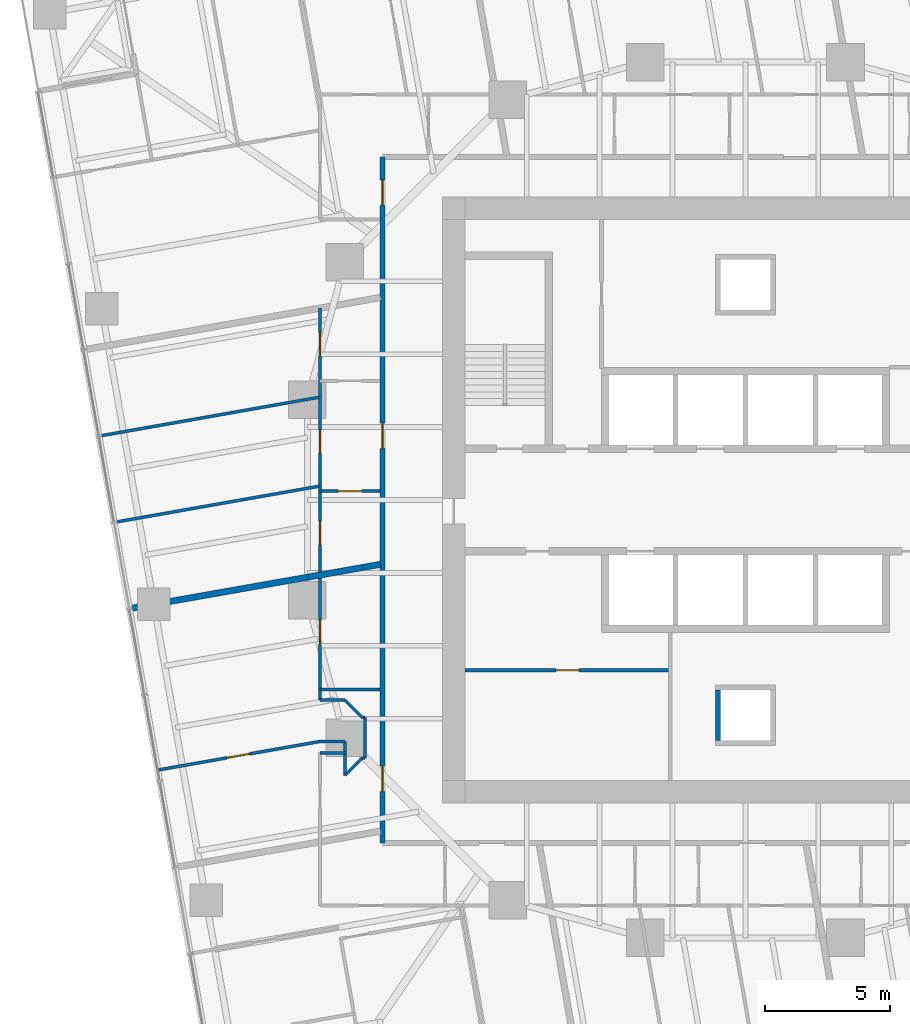
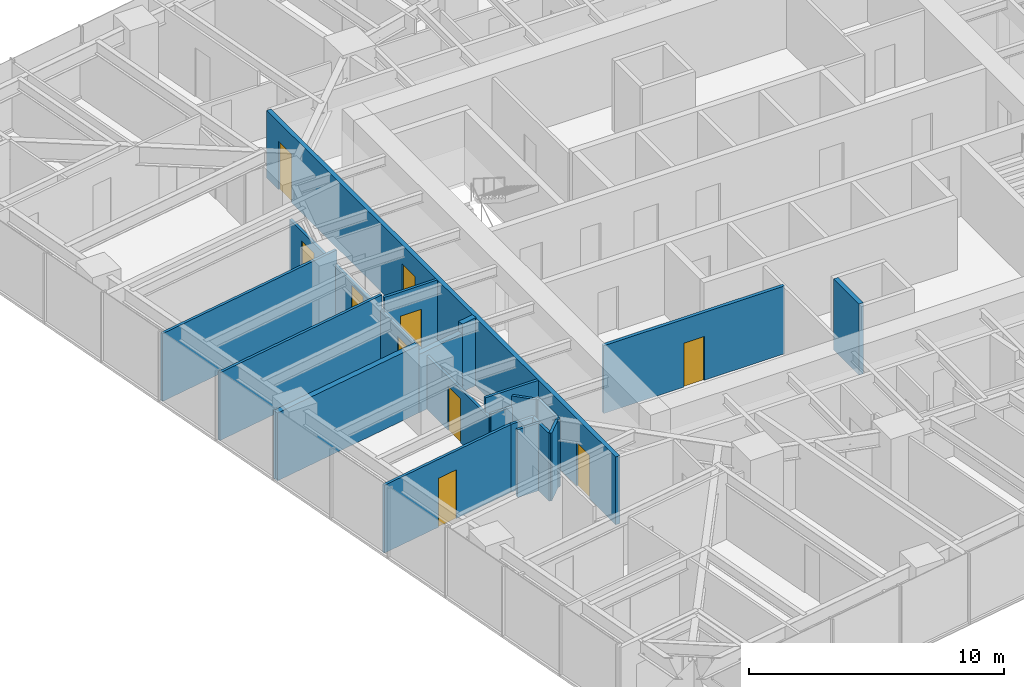
# One storey, part 9 of 14: 21 walls, 10 doors, 10 openings.
"""IFC4 building model written with IfcOpenShell, lengths in metres."""

import ifcopenshell
import ifcopenshell.guid

model = None  # the IFC model being written
_history = None  # IfcOwnerHistory: only IFC2X3 demands one
_inside = {}  # id of a spatial element -> (the spatial element, [elements in it])
_under = {}  # id of a project, library or spatial element -> (it, [spatial elements below it])
_declared = {}  # id of a project -> (the project, [libraries it declares])
_typed = {}  # id of a type object -> (the type object, [elements of that type])
_made_of = {}  # id of a material, layer set ... -> (it, [elements and type objects made of it])


def new_model(schema):
    """Start an empty IFC model of exactly this schema.

    Asked for "IFC4X3", IfcOpenShell would pick the latest addendum, in which some entities
    have other attributes; the version numbers below select the first issue.
    IFC2X3 requires an IfcOwnerHistory on every rooted entity: one is made here for all.
    """
    global model, _history
    if schema == "IFC4X3":
        model = ifcopenshell.file(schema_version=(4, 3, 0, 0))
    else:
        model = ifcopenshell.file(schema=schema)
    _inside.clear()
    _under.clear()
    _declared.clear()
    _typed.clear()
    _made_of.clear()
    _history = None
    if model.schema == "IFC2X3":
        org = make("IfcOrganization", Name="unknown")
        user = make(
            "IfcPersonAndOrganization",
            ThePerson=make("IfcPerson", FamilyName="unknown"),
            TheOrganization=org,
        )
        app = make(
            "IfcApplication",
            ApplicationDeveloper=org,
            Version="unknown",
            ApplicationFullName="unknown",
            ApplicationIdentifier="unknown",
        )
        _history = make(
            "IfcOwnerHistory",
            OwningUser=user,
            OwningApplication=app,
            ChangeAction="ADDED",
            CreationDate=0,
        )
    return model


def make(cls, **values):
    """One entity of the class cls with the attributes given. An attribute that is None is left unset."""
    return model.create_entity(
        cls, **{name: value for name, value in values.items() if value is not None}
    )


def rooted(cls, **values):
    """An entity with a GlobalId (a new one), such as an element, a storey or a relation."""
    return make(cls, GlobalId=ifcopenshell.guid.new(), OwnerHistory=_history, **values)


def si_unit(unit_type, name, prefix=None):
    """IfcSIUnit, for example si_unit("LENGTHUNIT", "METRE", prefix="MILLI")."""
    return make("IfcSIUnit", UnitType=unit_type, Prefix=prefix, Name=name)


def assignment(units):
    """IfcUnitAssignment: the units of a project."""
    return None if units is None else make("IfcUnitAssignment", Units=units)


def point(xyz):
    """IfcCartesianPoint."""
    return None if xyz is None else make("IfcCartesianPoint", Coordinates=xyz)


def direction(xyz):
    """IfcDirection."""
    return None if xyz is None else make("IfcDirection", DirectionRatios=xyz)


def frame(location, z_axis=None, x_axis=None):
    """IfcAxis2Placement3D, a coordinate frame: its origin and axes. An axis left out is left unset."""
    return make(
        "IfcAxis2Placement3D",
        Location=point(location),
        Axis=direction(z_axis),
        RefDirection=direction(x_axis),
    )


def frame_2d(location, x_axis=None):
    """IfcAxis2Placement2D, a coordinate frame in the plane: its origin and x axis."""
    return make(
        "IfcAxis2Placement2D", Location=point(location), RefDirection=direction(x_axis)
    )


def origin():
    """The frame at (0, 0, 0) with its axes left unset."""
    return frame((0.0, 0.0, 0.0))


def place(relative_to, where):
    """IfcLocalPlacement: puts the frame where relative to a parent placement (None: the world)."""
    return make(
        "IfcLocalPlacement", PlacementRelTo=relative_to, RelativePlacement=where
    )


def context(
    kind, dimensions, precision=None, world=None, true_north=None, identifier=None
):
    """IfcGeometricRepresentationContext, for example the 3D "Model" context."""
    return make(
        "IfcGeometricRepresentationContext",
        ContextIdentifier=identifier,
        ContextType=kind,
        CoordinateSpaceDimension=dimensions,
        Precision=precision,
        WorldCoordinateSystem=world,
        TrueNorth=true_north,
    )


def subcontext(parent, identifier, kind, view, scale=None):
    """IfcGeometricRepresentationSubContext, for example "Body" below "Model"."""
    return make(
        "IfcGeometricRepresentationSubContext",
        ContextIdentifier=identifier,
        ContextType=kind,
        ParentContext=parent,
        TargetScale=scale,
        TargetView=view,
    )


def project(units=None, contexts=None):
    """IfcProject with its units and contexts."""
    return rooted(
        "IfcProject",
        Name="project",
        RepresentationContexts=contexts,
        UnitsInContext=assignment(units),
    )


def spatial(cls, under=None, at=None, **own):
    """A site, building, storey or space (cls), placed at a placement, below another one or the project."""
    s = rooted(cls, ObjectPlacement=at, **own)
    if under is not None:
        _under.setdefault(under.id(), (under, []))[1].append(s)
    return s


def profile(cls, at=None, kind="AREA", **sizes):
    """A parametric profile (cls). Its sizes go by their IFC names, for example OverallWidth=200.0."""
    return make(cls, ProfileType=kind, Position=at, **sizes)


def rectangle(**sizes):
    """IfcRectangleProfileDef."""
    return profile("IfcRectangleProfileDef", **sizes)


def extrude(swept, where, along, depth):
    """IfcExtrudedAreaSolid: the profile swept, set in the frame where, extruded along a direction by depth."""
    return make(
        "IfcExtrudedAreaSolid",
        SweptArea=swept,
        Position=where,
        ExtrudedDirection=direction(along),
        Depth=depth,
    )


def shape(context_of_items, identifier, shape_type, items):
    """IfcShapeRepresentation: the items that make up one representation, for example the "Body"."""
    return make(
        "IfcShapeRepresentation",
        ContextOfItems=context_of_items,
        RepresentationIdentifier=identifier,
        RepresentationType=shape_type,
        Items=items,
    )


def material(Name=None, Category=None):
    """IfcMaterial."""
    return make("IfcMaterial", Name=Name, Category=Category)


def layer(
    of_material, thickness, ventilated=None, Name=None, Category=None, Priority=None
):
    """IfcMaterialLayer: one layer of a wall or slab, of a material (None: an air gap)."""
    return make(
        "IfcMaterialLayer",
        Material=of_material,
        LayerThickness=thickness,
        IsVentilated=ventilated,
        Name=Name,
        Category=Category,
        Priority=Priority,
    )


def layer_set(layers, Name=None):
    """IfcMaterialLayerSet."""
    return make("IfcMaterialLayerSet", MaterialLayers=layers, LayerSetName=Name)


def made_of(thing, what):
    """Note that an element or type object is made of a material, layer set ...; save() writes the relation."""
    if what is not None:
        _made_of.setdefault(what.id(), (what, []))[1].append(thing)
    return thing


def type_object(cls, material=None, **own):
    """A type object (cls), such as IfcWallType, which elements share."""
    return made_of(rooted(cls, **own), material)


def element(
    cls,
    number,
    at=None,
    inside=None,
    cuts=None,
    type_object=None,
    material=None,
    context=None,
    identifier="Body",
    shape_type=None,
    held_by="IfcProductDefinitionShape",
    body=None,
    shapes=None,
    **own,
):
    """One element of the class cls, such as IfcWall. Its Tag is "e" and its number.

    at: its placement. inside: the storey or other place that contains it. cuts: it is an
    opening in that element (IfcRelVoidsElement). A single representation is given by context,
    identifier, shape_type and body (its items); several are given by shapes. held_by: the class
    of the entity that holds the representations. save() writes the other relations.
    """
    e = rooted(cls, Tag="e%d" % number, ObjectPlacement=at, **own)
    if body is not None:
        shapes = [shape(context, identifier, shape_type, body)]
    if shapes is not None:
        e.Representation = make(held_by, Representations=shapes)
    if inside is not None:
        _inside.setdefault(inside.id(), (inside, []))[1].append(e)
    if cuts is not None:
        rooted(
            "IfcRelVoidsElement", RelatingBuildingElement=cuts, RelatedOpeningElement=e
        )
    if type_object is not None:
        _typed.setdefault(type_object.id(), (type_object, []))[1].append(e)
    return made_of(e, material)


def fill(opening, filler):
    """IfcRelFillsElement: the door or window that sits in an opening."""
    return rooted(
        "IfcRelFillsElement",
        RelatingOpeningElement=opening,
        RelatedBuildingElement=filler,
    )


def aggregate(whole, parts):
    """IfcRelAggregates: a whole, such as a stair, and the parts it consists of."""
    return rooted("IfcRelAggregates", RelatingObject=whole, RelatedObjects=parts)


def save(model, path):
    """Write the relations noted so far, then the file.

    IfcRelAggregates (storeys below a building ...), IfcRelContainedInSpatialStructure (elements
    in a storey), IfcRelDefinesByType, IfcRelAssociatesMaterial and IfcRelDeclares: one each for
    every whole, place, type object, material and project.
    """
    for whole, parts in _under.values():
        aggregate(whole, parts)
    for where, things in _inside.values():
        rooted(
            "IfcRelContainedInSpatialStructure",
            RelatedElements=things,
            RelatingStructure=where,
        )
    for kind, things in _typed.values():
        rooted("IfcRelDefinesByType", RelatedObjects=things, RelatingType=kind)
    for what, things in _made_of.values():
        rooted("IfcRelAssociatesMaterial", RelatedObjects=things, RelatingMaterial=what)
    for by, libraries in _declared.values():
        rooted("IfcRelDeclares", RelatingContext=by, RelatedDefinitions=libraries)
    model.write(path)


model = new_model("IFC4")

# Units and contexts
model_context = context("Model", 3, precision=1e-05, world=origin(), true_north=direction((0.0, 1.0)))
body_context = subcontext(model_context, "Body", "Model", "MODEL_VIEW")
ifc_project = project(units=[si_unit("LENGTHUNIT", "METRE"), si_unit("AREAUNIT", "SQUARE_METRE"), si_unit("VOLUMEUNIT", "CUBIC_METRE"), si_unit("PLANEANGLEUNIT", "RADIAN"), si_unit("MASSUNIT", "GRAM", prefix="KILO")], contexts=[model_context])

# Site, building, storey
site_placement = place(None, origin())
site = spatial("IfcSite", under=ifc_project, at=site_placement, CompositionType="ELEMENT")
building_placement = place(site_placement, origin())
building = spatial("IfcBuilding", under=site, at=building_placement, Name="Torsade Residences", CompositionType="ELEMENT")
storey_placement = place(building_placement, frame((0.0, 0.0, 93.0)))
storey = spatial("IfcBuildingStorey", under=building, at=storey_placement, Name="L25", CompositionType="ELEMENT", Elevation=93.0)

# Wall, openings, doors
ifc_material_1 = material(Name="Plasterboard on steel stud", Category="steel")
ifc_layer_1 = layer(ifc_material_1, 0.199951171875)
ifc_layer_set_1 = layer_set([ifc_layer_1], Name="Plasterboard on steel stud")
wall_type_1 = type_object("IfcWallType", Name="CORRIDOR WALL 200", PredefinedType="PARTITIONING", material=ifc_layer_set_1)
wall_1_placement = place(storey_placement, frame((25.5, 43.699951171875, 0.0), z_axis=(0.0, 0.0, 1.0), x_axis=(0.0, -1.0, 0.0)))
wall_1 = element("IfcWall", 1, at=wall_1_placement, inside=storey, type_object=wall_type_1, Name="Corridor wall L25", PredefinedType="PARTITIONING", context=body_context, shape_type="SweptSolid", body=[
    extrude(rectangle(XDim=27.39990234375, YDim=0.199951171875, at=frame_2d((13.699951171875, 0.0))), origin(), (0.0, 0.0, 1.0), 3.25),
])
opening_1_placement = place(wall_1_placement, frame((24.332763671875, 0.0, 0.0)))
opening_1 = element("IfcOpeningElement", 2, at=opening_1_placement, cuts=wall_1, Name="Opening D01L", PredefinedType="OPENING", context=body_context, shape_type="SweptSolid", body=[
    extrude(rectangle(XDim=1.02001953125, YDim=2.10009765625, at=frame_2d((0.510009765625, 1.050048828125))), frame((0.0, 0.10986328125, 0.0), z_axis=(0.0, -1.0, 0.0), x_axis=(1.0, 0.0, 0.0)), (0.0, 0.0, 1.0), 0.219970703125),
])
opening_2_placement = place(wall_1_placement, frame((10.63134765625, 0.0, 0.0)))
opening_2 = element("IfcOpeningElement", 3, at=opening_2_placement, cuts=wall_1, Name="Opening D01", PredefinedType="OPENING", context=body_context, shape_type="SweptSolid", body=[
    extrude(rectangle(XDim=1.02001953125, YDim=2.340087890625, at=frame_2d((0.510009765625, 1.169921875))), frame((0.0, 0.10986328125, 0.0), z_axis=(0.0, -1.0, 0.0), x_axis=(1.0, 0.0, 0.0)), (0.0, 0.0, 1.0), 0.219970703125),
])
opening_3_placement = place(wall_1_placement, frame((0.9111328125, 0.0, 0.0)))
opening_3 = element("IfcOpeningElement", 4, at=opening_3_placement, cuts=wall_1, Name="Opening D01", PredefinedType="OPENING", context=body_context, shape_type="SweptSolid", body=[
    extrude(rectangle(XDim=1.02001953125, YDim=2.340087890625, at=frame_2d((0.510009765625, 1.169921875))), frame((0.0, 0.10986328125, 0.0), z_axis=(0.0, -1.0, 0.0), x_axis=(1.0, 0.0, 0.0)), (0.0, 0.0, 1.0), 0.219970703125),
])
ifc_material_2 = material(Name="Solid-core timber fire door", Category="wood")
door_type_1 = type_object("IfcDoorType", Name="APARTMENT ENTRY DOOR 1020x2100", OperationType="NOTDEFINED", PredefinedType="DOOR", material=ifc_material_2)
door_1_placement = place(opening_1_placement, origin())
door_1 = element("IfcDoor", 5, at=door_1_placement, inside=storey, type_object=door_type_1, Name="Door Residential corridor to Kitchen and dining", OperationType="SINGLE_SWING_RIGHT", OverallHeight=2.10009765625, OverallWidth=1.02001953125, PredefinedType="DOOR", context=body_context, shape_type="SweptSolid", body=[
    extrude(rectangle(XDim=1.02001953125, YDim=2.10009765625, at=frame_2d((0.510009765625, 1.050048828125))), frame((0.0, 0.02490234375, 0.0), z_axis=(0.0, -1.0, 0.0), x_axis=(1.0, 0.0, 0.0)), (0.0, 0.0, 1.0), 0.050048828125),
])
fill(opening_1, door_1)
ifc_material_3 = material(Name="Solid-core timber fire door", Category="wood")
door_type_2 = type_object("IfcDoorType", Name="APARTMENT ENTRY DOOR 1020x2340", OperationType="NOTDEFINED", PredefinedType="DOOR", material=ifc_material_3)
door_2_placement = place(opening_2_placement, origin())
door_2 = element("IfcDoor", 6, at=door_2_placement, inside=storey, type_object=door_type_2, Name="Door Residential corridor to Kitchen and dining", OperationType="SINGLE_SWING_RIGHT", OverallHeight=2.340087890625, OverallWidth=1.02001953125, PredefinedType="DOOR", context=body_context, shape_type="SweptSolid", body=[
    extrude(rectangle(XDim=1.02001953125, YDim=2.340087890625, at=frame_2d((0.510009765625, 1.169921875))), frame((0.0, 0.02490234375, 0.0), z_axis=(0.0, -1.0, 0.0), x_axis=(1.0, 0.0, 0.0)), (0.0, 0.0, 1.0), 0.050048828125),
])
fill(opening_2, door_2)
door_3_placement = place(opening_3_placement, origin())
door_3 = element("IfcDoor", 7, at=door_3_placement, inside=storey, type_object=door_type_2, Name="Door Residential corridor to Kitchen and dining", OperationType="SINGLE_SWING_LEFT", OverallHeight=2.340087890625, OverallWidth=1.02001953125, PredefinedType="DOOR", context=body_context, shape_type="SweptSolid", body=[
    extrude(rectangle(XDim=1.02001953125, YDim=2.340087890625, at=frame_2d((0.510009765625, 1.169921875))), frame((0.0, 0.02490234375, 0.0), z_axis=(0.0, -1.0, 0.0), x_axis=(1.0, 0.0, 0.0)), (0.0, 0.0, 1.0), 0.050048828125),
])
fill(opening_3, door_3)

# Walls
ifc_material_4 = material(Name="Plasterboard on steel stud", Category="steel")
ifc_layer_2 = layer(ifc_material_4, 0.1201171875)
ifc_layer_set_2 = layer_set([ifc_layer_2], Name="Plasterboard on steel stud")
wall_type_2 = type_object("IfcWallType", Name="PARTITION 120", PredefinedType="PARTITIONING", material=ifc_layer_set_2)
wall_2_placement = place(storey_placement, frame((23.0, 22.41943359375, 0.0), z_axis=(0.0, 0.0, 1.0), x_axis=(1.0, 0.0, 0.0)))
element("IfcWall", 8, at=wall_2_placement, inside=storey, type_object=wall_type_2, Name="Partition L25", PredefinedType="PARTITIONING", context=body_context, shape_type="SweptSolid", body=[
    extrude(rectangle(XDim=2.39990234375, YDim=0.1201171875, at=frame_2d((1.199951171875, 0.0))), origin(), (0.0, 0.0, 1.0), 3.25),
])
wall_3_placement = place(storey_placement, frame((24.0, 20.344482421875, 0.0), z_axis=(0.0, 0.0, 1.0), x_axis=(0.0, -1.0, 0.0)))
element("IfcWall", 9, at=wall_3_placement, inside=storey, type_object=wall_type_2, Name="Partition L25", PredefinedType="PARTITIONING", context=body_context, shape_type="SweptSolid", body=[
    extrude(rectangle(XDim=1.344482421875, YDim=0.1201171875, at=frame_2d((0.67236328125, 0.0))), origin(), (0.0, 0.0, 1.0), 3.25),
])
wall_4_placement = place(storey_placement, frame((24.0, 19.0, 0.0), z_axis=(0.0, 0.0, 1.0), x_axis=(0.707106781187, 0.707106781187, 0.0)))
element("IfcWall", 10, at=wall_4_placement, inside=storey, type_object=wall_type_2, Name="Partition L25", PredefinedType="PARTITIONING", context=body_context, shape_type="SweptSolid", body=[
    extrude(rectangle(XDim=0.989990234375, YDim=0.1201171875, at=frame_2d((0.4951171875, 0.0))), origin(), (0.0, 0.0, 1.0), 3.25),
])
wall_5_placement = place(storey_placement, frame((24.800048828125, 19.699951171875, 0.0), z_axis=(0.0, 0.0, 1.0), x_axis=(0.0, 1.0, 0.0)))
element("IfcWall", 11, at=wall_5_placement, inside=storey, type_object=wall_type_2, Name="Partition L25", PredefinedType="PARTITIONING", context=body_context, shape_type="SweptSolid", body=[
    extrude(rectangle(XDim=1.60009765625, YDim=0.1201171875, at=frame_2d((0.800048828125, 0.0))), origin(), (0.0, 0.0, 1.0), 3.25),
])
wall_6_placement = place(storey_placement, frame((24.699951171875, 21.300048828125, 0.0), z_axis=(0.0, 0.0, 1.0), x_axis=(-0.707106781187, 0.707106781187, 0.0)))
element("IfcWall", 12, at=wall_6_placement, inside=storey, type_object=wall_type_2, Name="Partition L25", PredefinedType="PARTITIONING", context=body_context, shape_type="SweptSolid", body=[
    extrude(rectangle(XDim=0.989990234375, YDim=0.1201171875, at=frame_2d((0.4951171875, 0.0))), origin(), (0.0, 0.0, 1.0), 3.25),
])
wall_7_placement = place(storey_placement, frame((24.0, 22.0, 0.0), z_axis=(0.0, 0.0, 1.0), x_axis=(-1.0, 0.0, 0.0)))
element("IfcWall", 13, at=wall_7_placement, inside=storey, type_object=wall_type_2, Name="Partition L25", PredefinedType="PARTITIONING", context=body_context, shape_type="SweptSolid", body=[
    extrude(rectangle(XDim=1.0, YDim=0.1201171875, at=frame_2d((0.5, 0.0))), origin(), (0.0, 0.0, 1.0), 2.721923828125),
])

# Wall, openings, doors
wall_8_placement = place(storey_placement, frame((23.0, 22.0, 0.0), z_axis=(0.0, 0.0, 1.0), x_axis=(0.0, 1.0, 0.0)))
wall_8 = element("IfcWall", 14, at=wall_8_placement, inside=storey, type_object=wall_type_2, Name="Partition L25", PredefinedType="PARTITIONING", context=body_context, shape_type="SweptSolid", body=[
    extrude(rectangle(XDim=15.664306640625, YDim=0.1201171875, at=frame_2d((7.83203125, 0.0))), origin(), (0.0, 0.0, 1.0), 2.550048828125),
])
opening_4_placement = place(wall_8_placement, frame((9.87353515625, 0.0, 0.0)))
opening_4 = element("IfcOpeningElement", 15, at=opening_4_placement, cuts=wall_8, Name="Opening D02", PredefinedType="OPENING", context=body_context, shape_type="SweptSolid", body=[
    extrude(rectangle(XDim=0.919921875, YDim=2.340087890625, at=frame_2d((0.4599609375, 1.169921875))), frame((0.0, 0.070068359375, 0.0), z_axis=(0.0, -1.0, 0.0), x_axis=(1.0, 0.0, 0.0)), (0.0, 0.0, 1.0), 0.14013671875),
])
opening_5_placement = place(wall_8_placement, frame((13.734375, 0.0, 0.0)))
opening_5 = element("IfcOpeningElement", 16, at=opening_5_placement, cuts=wall_8, Name="Opening D05", PredefinedType="OPENING", context=body_context, shape_type="SweptSolid", body=[
    extrude(rectangle(XDim=0.9599609375, YDim=2.10009765625, at=frame_2d((0.47998046875, 1.050048828125))), frame((0.0, 0.070068359375, 0.0), z_axis=(0.0, -1.0, 0.0), x_axis=(1.0, 0.0, 0.0)), (0.0, 0.0, 1.0), 0.14013671875),
])
opening_6_placement = place(wall_8_placement, frame((6.19775390625, 0.0, 0.0)))
opening_6 = element("IfcOpeningElement", 17, at=opening_6_placement, cuts=wall_8, Name="Opening D05", PredefinedType="OPENING", context=body_context, shape_type="SweptSolid", body=[
    extrude(rectangle(XDim=0.9599609375, YDim=2.10009765625, at=frame_2d((0.47998046875, 1.050048828125))), frame((0.0, 0.070068359375, 0.0), z_axis=(0.0, -1.0, 0.0), x_axis=(1.0, 0.0, 0.0)), (0.0, 0.0, 1.0), 0.14013671875),
])
opening_7_placement = place(wall_8_placement, frame((2.23095703125, 0.0, 0.0)))
opening_7 = element("IfcOpeningElement", 18, at=opening_7_placement, cuts=wall_8, Name="Opening D05", PredefinedType="OPENING", context=body_context, shape_type="SweptSolid", body=[
    extrude(rectangle(XDim=0.9599609375, YDim=2.10009765625, at=frame_2d((0.47998046875, 1.050048828125))), frame((0.0, 0.070068359375, 0.0), z_axis=(0.0, -1.0, 0.0), x_axis=(1.0, 0.0, 0.0)), (0.0, 0.0, 1.0), 0.14013671875),
])
ifc_material_5 = material(Name="Hollow-core timber door in a steel cavity frame", Category="steel")
door_type_3 = type_object("IfcDoorType", Name="BATHROOM CAVITY SLIDING DOOR 960", OperationType="SLIDING_TO_LEFT", PredefinedType="DOOR", material=ifc_material_5)
door_4_placement = place(opening_5_placement, origin())
door_4 = element("IfcDoor", 19, at=door_4_placement, inside=storey, type_object=door_type_3, Name="Door Bathroom to Living room", OperationType="SLIDING_TO_LEFT", OverallHeight=2.10009765625, OverallWidth=0.9599609375, PredefinedType="DOOR", context=body_context, shape_type="SweptSolid", body=[
    extrude(rectangle(XDim=0.9599609375, YDim=2.10009765625, at=frame_2d((0.47998046875, 1.050048828125))), frame((0.0, 0.02490234375, 0.0), z_axis=(0.0, -1.0, 0.0), x_axis=(1.0, 0.0, 0.0)), (0.0, 0.0, 1.0), 0.050048828125),
])
fill(opening_5, door_4)
door_5_placement = place(opening_6_placement, origin())
door_5 = element("IfcDoor", 20, at=door_5_placement, inside=storey, type_object=door_type_3, Name="Door Ensuite to Bedroom 2", OperationType="SLIDING_TO_LEFT", OverallHeight=2.10009765625, OverallWidth=0.9599609375, PredefinedType="DOOR", context=body_context, shape_type="SweptSolid", body=[
    extrude(rectangle(XDim=0.9599609375, YDim=2.10009765625, at=frame_2d((0.47998046875, 1.050048828125))), frame((0.0, 0.02490234375, 0.0), z_axis=(0.0, -1.0, 0.0), x_axis=(1.0, 0.0, 0.0)), (0.0, 0.0, 1.0), 0.050048828125),
])
fill(opening_6, door_5)
door_6_placement = place(opening_7_placement, origin())
door_6 = element("IfcDoor", 21, at=door_6_placement, inside=storey, type_object=door_type_3, Name="Door Living room to Bathroom", OperationType="SLIDING_TO_LEFT", OverallHeight=2.10009765625, OverallWidth=0.9599609375, PredefinedType="DOOR", context=body_context, shape_type="SweptSolid", body=[
    extrude(rectangle(XDim=0.9599609375, YDim=2.10009765625, at=frame_2d((0.47998046875, 1.050048828125))), frame((0.0, 0.02490234375, 0.0), z_axis=(0.0, -1.0, 0.0), x_axis=(1.0, 0.0, 0.0)), (0.0, 0.0, 1.0), 0.050048828125),
])
fill(opening_7, door_6)
ifc_material_6 = material(Name="Hollow-core timber door", Category="wood")
door_type_4 = type_object("IfcDoorType", Name="INTERNAL DOOR 920x2340", OperationType="NOTDEFINED", PredefinedType="DOOR", material=ifc_material_6)
door_7_placement = place(opening_4_placement, origin())
door_7 = element("IfcDoor", 22, at=door_7_placement, inside=storey, type_object=door_type_4, Name="Door Kitchen and dining to Bedroom 1", OperationType="SINGLE_SWING_RIGHT", OverallHeight=2.340087890625, OverallWidth=0.919921875, PredefinedType="DOOR", context=body_context, shape_type="SweptSolid", body=[
    extrude(rectangle(XDim=0.919921875, YDim=2.340087890625, at=frame_2d((0.4599609375, 1.169921875))), frame((0.0, 0.02490234375, 0.0), z_axis=(0.0, -1.0, 0.0), x_axis=(1.0, 0.0, 0.0)), (0.0, 0.0, 1.0), 0.050048828125),
])
fill(opening_4, door_7)

# Walls
wall_9_placement = place(storey_placement, frame((23.0, 19.894287109375, 0.0), z_axis=(0.0, 0.0, 1.0), x_axis=(1.0, 0.0, 0.0)))
element("IfcWall", 23, at=wall_9_placement, inside=storey, type_object=wall_type_2, Name="Partition L25", PredefinedType="PARTITIONING", context=body_context, shape_type="SweptSolid", body=[
    extrude(rectangle(XDim=1.0, YDim=0.1201171875, at=frame_2d((0.5, 0.0))), origin(), (0.0, 0.0, 1.0), 3.25),
])
wall_10_placement = place(storey_placement, frame((24.0, 20.344482421875, 0.0), z_axis=(0.0, 0.0, 1.0), x_axis=(-1.0, 0.0, 0.0)))
element("IfcWall", 24, at=wall_10_placement, inside=storey, type_object=wall_type_2, Name="Partition L25", PredefinedType="PARTITIONING", context=body_context, shape_type="SweptSolid", body=[
    extrude(rectangle(XDim=1.039306640625, YDim=0.1201171875, at=frame_2d((0.51953125, 0.0))), origin(), (0.0, 0.0, 1.0), 3.25),
])

# Wall, opening, door
wall_11_placement = place(storey_placement, frame((22.960693359375, 20.344482421875, 0.0), z_axis=(0.0, 0.0, 1.0), x_axis=(-0.984809249117, -0.173639692622, 0.0)))
wall_11 = element("IfcWall", 25, at=wall_11_placement, inside=storey, type_object=wall_type_2, Name="Partition L25", PredefinedType="PARTITIONING", context=body_context, shape_type="SweptSolid", body=[
    extrude(rectangle(XDim=6.5029296875, YDim=0.1201171875, at=frame_2d((3.25146484375, 0.0))), origin(), (0.0, 0.0, 1.0), 3.25),
])
opening_8_placement = place(wall_11_placement, frame((2.811279296875, 0.0, 0.0)))
opening_8 = element("IfcOpeningElement", 26, at=opening_8_placement, cuts=wall_11, Name="Opening D02", PredefinedType="OPENING", context=body_context, shape_type="SweptSolid", body=[
    extrude(rectangle(XDim=0.919921875, YDim=2.340087890625, at=frame_2d((0.4599609375, 1.169921875))), frame((0.0, 0.070068359375, 0.0), z_axis=(0.0, -1.0, 0.0), x_axis=(1.0, 0.0, 0.0)), (0.0, 0.0, 1.0), 0.14013671875),
])
door_8_placement = place(opening_8_placement, origin())
door_8 = element("IfcDoor", 27, at=door_8_placement, inside=storey, type_object=door_type_4, Name="Door Bedroom 1 to Living room", OperationType="SINGLE_SWING_RIGHT", OverallHeight=2.340087890625, OverallWidth=0.919921875, PredefinedType="DOOR", context=body_context, shape_type="SweptSolid", body=[
    extrude(rectangle(XDim=0.919921875, YDim=2.340087890625, at=frame_2d((0.4599609375, 1.169921875))), frame((0.0, 0.02490234375, 0.0), z_axis=(0.0, -1.0, 0.0), x_axis=(1.0, 0.0, 0.0)), (0.0, 0.0, 1.0), 0.050048828125),
])
fill(opening_8, door_8)

wall_12_placement = place(storey_placement, frame((25.39990234375, 30.35302734375, 0.0), z_axis=(0.0, 0.0, 1.0), x_axis=(-1.0, 0.0, 0.0)))
wall_12 = element("IfcWall", 28, at=wall_12_placement, inside=storey, type_object=wall_type_2, Name="Partition L25", PredefinedType="PARTITIONING", context=body_context, shape_type="SweptSolid", body=[
    extrude(rectangle(XDim=2.39990234375, YDim=0.1201171875, at=frame_2d((1.199951171875, 0.0))), origin(), (0.0, 0.0, 1.0), 3.25),
])
opening_9_placement = place(wall_12_placement, frame((0.719970703125, 0.0, 0.0)))
opening_9 = element("IfcOpeningElement", 29, at=opening_9_placement, cuts=wall_12, Name="Opening D05", PredefinedType="OPENING", context=body_context, shape_type="SweptSolid", body=[
    extrude(rectangle(XDim=0.9599609375, YDim=2.10009765625, at=frame_2d((0.47998046875, 1.050048828125))), frame((0.0, 0.070068359375, 0.0), z_axis=(0.0, -1.0, 0.0), x_axis=(1.0, 0.0, 0.0)), (0.0, 0.0, 1.0), 0.14013671875),
])
door_9_placement = place(opening_9_placement, origin())
door_9 = element("IfcDoor", 30, at=door_9_placement, inside=storey, type_object=door_type_3, Name="Door Kitchen and dining to Ensuite", OperationType="SLIDING_TO_LEFT", OverallHeight=2.10009765625, OverallWidth=0.9599609375, PredefinedType="DOOR", context=body_context, shape_type="SweptSolid", body=[
    extrude(rectangle(XDim=0.9599609375, YDim=2.10009765625, at=frame_2d((0.47998046875, 1.050048828125))), frame((0.0, 0.02490234375, 0.0), z_axis=(0.0, -1.0, 0.0), x_axis=(1.0, 0.0, 0.0)), (0.0, 0.0, 1.0), 0.050048828125),
])
fill(opening_9, door_9)

# Walls
wall_13_placement = place(storey_placement, frame((23.0, 34.1103515625, 0.0), z_axis=(0.0, 0.0, 1.0), x_axis=(-0.984808038675, -0.173646557583, 0.0)))
element("IfcWall", 31, at=wall_13_placement, inside=storey, type_object=wall_type_2, Name="Partition L25", PredefinedType="PARTITIONING", context=body_context, shape_type="SweptSolid", body=[
    extrude(rectangle(XDim=8.93212890625, YDim=0.1201171875, at=frame_2d((4.466064453125, 0.0))), origin(), (0.0, 0.0, 1.0), 3.25),
])
wall_14_placement = place(storey_placement, frame((23.0, 30.556396484375, 0.0), z_axis=(0.0, 0.0, 1.0), x_axis=(-0.984807787824, -0.173647980238, 0.0)))
element("IfcWall", 32, at=wall_14_placement, inside=storey, type_object=wall_type_2, Name="Partition L25", PredefinedType="PARTITIONING", context=body_context, shape_type="SweptSolid", body=[
    extrude(rectangle(XDim=8.314697265625, YDim=0.1201171875, at=frame_2d((4.1572265625, 0.0))), origin(), (0.0, 0.0, 1.0), 3.25),
])
for number, where, z_axis, x_axis, name in (
    (33, (24.800048828125, 19.699951171875, 0.0), (0.0, 0.0, 1.0), (-1.0, 0.0, 0.0), "Partition L25"),
    (34, (24.800048828125, 21.300048828125, 0.0), (0.0, 0.0, 1.0), (-1.0, 0.0, 0.0), "Partition L25"),
):
    element("IfcWall", number, at=place(storey_placement, frame(where, z_axis=z_axis, x_axis=x_axis)), inside=storey, type_object=wall_type_2, Name=name, PredefinedType="PARTITIONING", context=body_context, shape_type="SweptSolid", body=[
        extrude(rectangle(XDim=0.10009765625, YDim=0.1201171875, at=frame_2d((0.050048828125, 0.0))), origin(), (0.0, 0.0, 1.0), 3.25),
    ])
ifc_material_7 = material(Name="Masonry-lined stud party wall", Category="masonry")
ifc_layer_3 = layer(ifc_material_7, 0.25)
ifc_layer_set_3 = layer_set([ifc_layer_3], Name="Masonry-lined stud party wall")
wall_type_3 = type_object("IfcWallType", Name="PARTY WALL 250", PredefinedType="PARTITIONING", material=ifc_layer_set_3)
wall_15_placement = place(storey_placement, frame((15.3798828125, 25.65869140625, 0.0), z_axis=(0.0, 0.0, 1.0), x_axis=(0.984802553948, 0.173677660443, 0.0)))
element("IfcWall", 35, at=wall_15_placement, inside=storey, type_object=wall_type_3, Name="Party wall L25", PredefinedType="PARTITIONING", context=body_context, shape_type="SweptSolid", body=[
    extrude(rectangle(XDim=7.24365234375, YDim=0.25, at=frame_2d((3.621826171875, 0.0))), origin(), (0.0, 0.0, 1.0), 3.25),
])
wall_16_placement = place(storey_placement, frame((22.513427734375, 26.916748046875, 0.0), z_axis=(0.0, 0.0, 1.0), x_axis=(0.984809882944, 0.17363609779, 0.0)))
element("IfcWall", 36, at=wall_16_placement, inside=storey, type_object=wall_type_3, Name="Party wall L25", PredefinedType="PARTITIONING", context=body_context, shape_type="SweptSolid", body=[
    extrude(rectangle(XDim=2.23974609375, YDim=0.25, at=frame_2d((1.119873046875, 0.0))), origin(), (0.0, 0.0, 1.0), 2.794921875),
])
wall_17_placement = place(storey_placement, frame((24.71923828125, 27.3056640625, 0.0), z_axis=(0.0, 0.0, 1.0), x_axis=(0.984835495461, 0.173490768861, 0.0)))
element("IfcWall", 37, at=wall_17_placement, inside=storey, type_object=wall_type_3, Name="Party wall L25", PredefinedType="PARTITIONING", context=body_context, shape_type="SweptSolid", body=[
    extrude(rectangle(XDim=0.709228515625, YDim=0.25, at=frame_2d((0.3544921875, 0.0))), origin(), (0.0, 0.0, 1.0), 3.25),
])
ifc_material_8 = material(Name="Reinforced blockwork", Category="masonry")
ifc_layer_4 = layer(ifc_material_8, 0.199951171875)
ifc_layer_set_4 = layer_set([ifc_layer_4], Name="Reinforced blockwork")
wall_type_4 = type_object("IfcWallType", Name="RISER SHAFT WALL 200", PredefinedType="SOLIDWALL", material=ifc_layer_set_4)
wall_18_placement = place(storey_placement, frame((38.89990234375, 22.39990234375, 0.0), z_axis=(0.0, 0.0, 1.0), x_axis=(0.0, -1.0, 0.0)))
element("IfcWall", 38, at=wall_18_placement, inside=storey, type_object=wall_type_4, Name="Core wall RS2a L25", PredefinedType="SOLIDWALL", context=body_context, shape_type="SweptSolid", body=[
    extrude(rectangle(XDim=2.0, YDim=0.199951171875, at=frame_2d((1.0, 0.0))), origin(), (0.0, 0.0, 1.0), 3.39990234375),
])

# Wall, opening, door
ifc_material_9 = material(Name="Reinforced blockwork", Category="masonry")
ifc_layer_5 = layer(ifc_material_9, 0.14990234375)
ifc_layer_set_5 = layer_set([ifc_layer_5], Name="Reinforced blockwork")
wall_type_5 = type_object("IfcWallType", Name="SERVICE ROOM WALL 150", PredefinedType="SOLIDWALL", material=ifc_layer_set_5)
wall_19_placement = place(storey_placement, frame((37.0, 23.199951171875, 0.0), z_axis=(0.0, 0.0, 1.0), x_axis=(-1.0, 0.0, 0.0)))
wall_19 = element("IfcWall", 39, at=wall_19_placement, inside=storey, type_object=wall_type_5, Name="Service room wall L25", PredefinedType="SOLIDWALL", context=body_context, shape_type="SweptSolid", body=[
    extrude(rectangle(XDim=8.199951171875, YDim=0.14990234375, at=frame_2d((4.10009765625, 0.0))), origin(), (0.0, 0.0, 1.0), 3.25),
])
opening_10_placement = place(wall_19_placement, frame((3.639892578125, 0.0, 0.0)))
opening_10 = element("IfcOpeningElement", 40, at=opening_10_placement, cuts=wall_19, Name="Opening D06", PredefinedType="OPENING", context=body_context, shape_type="SweptSolid", body=[
    extrude(rectangle(XDim=0.919921875, YDim=2.10009765625, at=frame_2d((0.4599609375, 1.050048828125))), frame((0.0, 0.0849609375, 0.0), z_axis=(0.0, -1.0, 0.0), x_axis=(1.0, 0.0, 0.0)), (0.0, 0.0, 1.0), 0.169921875),
])
ifc_material_10 = material(Name="Steel-framed fire door", Category="steel")
door_type_5 = type_object("IfcDoorType", Name="FIRE DOOR 920", OperationType="NOTDEFINED", PredefinedType="DOOR", material=ifc_material_10)
door_10_placement = place(opening_10_placement, origin())
door_10 = element("IfcDoor", 41, at=door_10_placement, inside=storey, type_object=door_type_5, Name="Door Cleaner store to Hose reel and hydrant store", OperationType="SINGLE_SWING_LEFT", OverallHeight=2.10009765625, OverallWidth=0.919921875, PredefinedType="DOOR", context=body_context, shape_type="SweptSolid", body=[
    extrude(rectangle(XDim=0.919921875, YDim=2.10009765625, at=frame_2d((0.4599609375, 1.050048828125))), frame((0.0, 0.02490234375, 0.0), z_axis=(0.0, -1.0, 0.0), x_axis=(1.0, 0.0, 0.0)), (0.0, 0.0, 1.0), 0.050048828125),
])
fill(opening_10, door_10)

save(model, "model.ifc")
